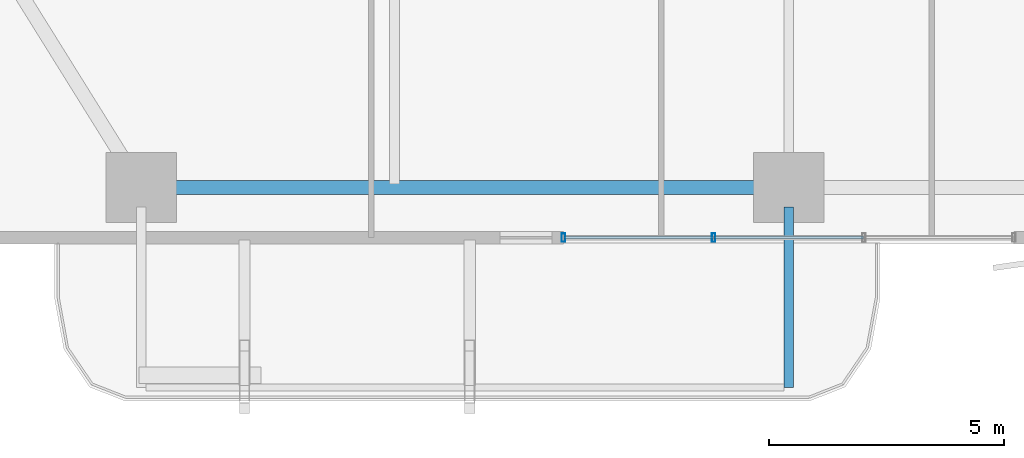
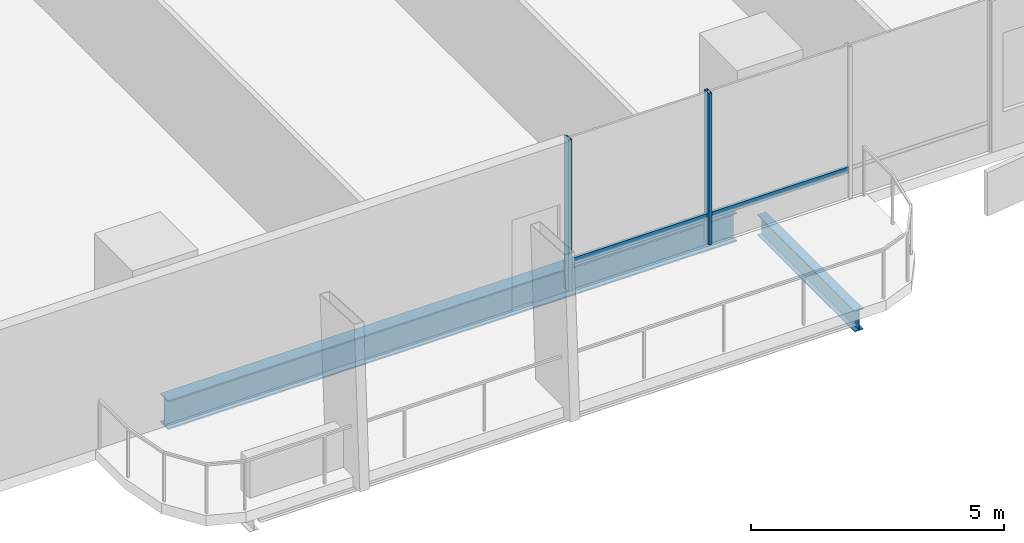
# One storey, part 2 of 23: 4 members, 2 beams, 1 element without a shape of its own.
"""IFC4 building model written with IfcOpenShell, lengths in metres."""

import ifcopenshell
import ifcopenshell.guid

model = None  # the IFC model being written
_history = None  # IfcOwnerHistory: only IFC2X3 demands one
_inside = {}  # id of a spatial element -> (the spatial element, [elements in it])
_under = {}  # id of a project, library or spatial element -> (it, [spatial elements below it])
_declared = {}  # id of a project -> (the project, [libraries it declares])
_typed = {}  # id of a type object -> (the type object, [elements of that type])
_made_of = {}  # id of a material, layer set ... -> (it, [elements and type objects made of it])


def new_model(schema):
    """Start an empty IFC model of exactly this schema.

    Asked for "IFC4X3", IfcOpenShell would pick the latest addendum, in which some entities
    have other attributes; the version numbers below select the first issue.
    IFC2X3 requires an IfcOwnerHistory on every rooted entity: one is made here for all.
    """
    global model, _history
    if schema == "IFC4X3":
        model = ifcopenshell.file(schema_version=(4, 3, 0, 0))
    else:
        model = ifcopenshell.file(schema=schema)
    _inside.clear()
    _under.clear()
    _declared.clear()
    _typed.clear()
    _made_of.clear()
    _history = None
    if model.schema == "IFC2X3":
        org = make("IfcOrganization", Name="unknown")
        user = make(
            "IfcPersonAndOrganization",
            ThePerson=make("IfcPerson", FamilyName="unknown"),
            TheOrganization=org,
        )
        app = make(
            "IfcApplication",
            ApplicationDeveloper=org,
            Version="unknown",
            ApplicationFullName="unknown",
            ApplicationIdentifier="unknown",
        )
        _history = make(
            "IfcOwnerHistory",
            OwningUser=user,
            OwningApplication=app,
            ChangeAction="ADDED",
            CreationDate=0,
        )
    return model


def make(cls, **values):
    """One entity of the class cls with the attributes given. An attribute that is None is left unset."""
    return model.create_entity(
        cls, **{name: value for name, value in values.items() if value is not None}
    )


def rooted(cls, **values):
    """An entity with a GlobalId (a new one), such as an element, a storey or a relation."""
    return make(cls, GlobalId=ifcopenshell.guid.new(), OwnerHistory=_history, **values)


def si_unit(unit_type, name, prefix=None):
    """IfcSIUnit, for example si_unit("LENGTHUNIT", "METRE", prefix="MILLI")."""
    return make("IfcSIUnit", UnitType=unit_type, Prefix=prefix, Name=name)


def assignment(units):
    """IfcUnitAssignment: the units of a project."""
    return None if units is None else make("IfcUnitAssignment", Units=units)


def point(xyz):
    """IfcCartesianPoint."""
    return None if xyz is None else make("IfcCartesianPoint", Coordinates=xyz)


def direction(xyz):
    """IfcDirection."""
    return None if xyz is None else make("IfcDirection", DirectionRatios=xyz)


def frame(location, z_axis=None, x_axis=None):
    """IfcAxis2Placement3D, a coordinate frame: its origin and axes. An axis left out is left unset."""
    return make(
        "IfcAxis2Placement3D",
        Location=point(location),
        Axis=direction(z_axis),
        RefDirection=direction(x_axis),
    )


def frame_2d(location, x_axis=None):
    """IfcAxis2Placement2D, a coordinate frame in the plane: its origin and x axis."""
    return make(
        "IfcAxis2Placement2D", Location=point(location), RefDirection=direction(x_axis)
    )


def origin():
    """The frame at (0, 0, 0) with its axes left unset."""
    return frame((0.0, 0.0, 0.0))


def origin_2d():
    """The frame at (0, 0) in the plane with its x axis left unset."""
    return frame_2d((0.0, 0.0))


def place(relative_to, where):
    """IfcLocalPlacement: puts the frame where relative to a parent placement (None: the world)."""
    return make(
        "IfcLocalPlacement", PlacementRelTo=relative_to, RelativePlacement=where
    )


def context(
    kind, dimensions, precision=None, world=None, true_north=None, identifier=None
):
    """IfcGeometricRepresentationContext, for example the 3D "Model" context."""
    return make(
        "IfcGeometricRepresentationContext",
        ContextIdentifier=identifier,
        ContextType=kind,
        CoordinateSpaceDimension=dimensions,
        Precision=precision,
        WorldCoordinateSystem=world,
        TrueNorth=true_north,
    )


def subcontext(parent, identifier, kind, view, scale=None):
    """IfcGeometricRepresentationSubContext, for example "Body" below "Model"."""
    return make(
        "IfcGeometricRepresentationSubContext",
        ContextIdentifier=identifier,
        ContextType=kind,
        ParentContext=parent,
        TargetScale=scale,
        TargetView=view,
    )


def project(units=None, contexts=None):
    """IfcProject with its units and contexts."""
    return rooted(
        "IfcProject",
        Name="project",
        RepresentationContexts=contexts,
        UnitsInContext=assignment(units),
    )


def spatial(cls, under=None, at=None, **own):
    """A site, building, storey or space (cls), placed at a placement, below another one or the project."""
    s = rooted(cls, ObjectPlacement=at, **own)
    if under is not None:
        _under.setdefault(under.id(), (under, []))[1].append(s)
    return s


def profile(cls, at=None, kind="AREA", **sizes):
    """A parametric profile (cls). Its sizes go by their IFC names, for example OverallWidth=200.0."""
    return make(cls, ProfileType=kind, Position=at, **sizes)


def hollow_rectangle(**sizes):
    """IfcRectangleHollowProfileDef."""
    return profile("IfcRectangleHollowProfileDef", **sizes)


def i_section(**sizes):
    """IfcIShapeProfileDef."""
    return profile("IfcIShapeProfileDef", **sizes)


def extrude(swept, where, along, depth):
    """IfcExtrudedAreaSolid: the profile swept, set in the frame where, extruded along a direction by depth."""
    return make(
        "IfcExtrudedAreaSolid",
        SweptArea=swept,
        Position=where,
        ExtrudedDirection=direction(along),
        Depth=depth,
    )


def shape(context_of_items, identifier, shape_type, items):
    """IfcShapeRepresentation: the items that make up one representation, for example the "Body"."""
    return make(
        "IfcShapeRepresentation",
        ContextOfItems=context_of_items,
        RepresentationIdentifier=identifier,
        RepresentationType=shape_type,
        Items=items,
    )


def material(Name=None, Category=None):
    """IfcMaterial."""
    return make("IfcMaterial", Name=Name, Category=Category)


def layer(
    of_material, thickness, ventilated=None, Name=None, Category=None, Priority=None
):
    """IfcMaterialLayer: one layer of a wall or slab, of a material (None: an air gap)."""
    return make(
        "IfcMaterialLayer",
        Material=of_material,
        LayerThickness=thickness,
        IsVentilated=ventilated,
        Name=Name,
        Category=Category,
        Priority=Priority,
    )


def layer_set(layers, Name=None):
    """IfcMaterialLayerSet."""
    return make("IfcMaterialLayerSet", MaterialLayers=layers, LayerSetName=Name)


def material_profile(
    of_material, cross_section, Name=None, Category=None, Priority=None
):
    """IfcMaterialProfile: a cross section and its material."""
    return make(
        "IfcMaterialProfile",
        Name=Name,
        Material=of_material,
        Profile=cross_section,
        Priority=Priority,
        Category=Category,
    )


def profile_set(profiles, Name=None, composite=None):
    """IfcMaterialProfileSet."""
    return make(
        "IfcMaterialProfileSet",
        Name=Name,
        MaterialProfiles=profiles,
        CompositeProfile=composite,
    )


def made_of(thing, what):
    """Note that an element or type object is made of a material, layer set ...; save() writes the relation."""
    if what is not None:
        _made_of.setdefault(what.id(), (what, []))[1].append(thing)
    return thing


def type_object(cls, material=None, **own):
    """A type object (cls), such as IfcWallType, which elements share."""
    return made_of(rooted(cls, **own), material)


def element(
    cls,
    number,
    at=None,
    inside=None,
    cuts=None,
    type_object=None,
    material=None,
    context=None,
    identifier="Body",
    shape_type=None,
    held_by="IfcProductDefinitionShape",
    body=None,
    shapes=None,
    **own,
):
    """One element of the class cls, such as IfcWall. Its Tag is "e" and its number.

    at: its placement. inside: the storey or other place that contains it. cuts: it is an
    opening in that element (IfcRelVoidsElement). A single representation is given by context,
    identifier, shape_type and body (its items); several are given by shapes. held_by: the class
    of the entity that holds the representations. save() writes the other relations.
    """
    e = rooted(cls, Tag="e%d" % number, ObjectPlacement=at, **own)
    if body is not None:
        shapes = [shape(context, identifier, shape_type, body)]
    if shapes is not None:
        e.Representation = make(held_by, Representations=shapes)
    if inside is not None:
        _inside.setdefault(inside.id(), (inside, []))[1].append(e)
    if cuts is not None:
        rooted(
            "IfcRelVoidsElement", RelatingBuildingElement=cuts, RelatedOpeningElement=e
        )
    if type_object is not None:
        _typed.setdefault(type_object.id(), (type_object, []))[1].append(e)
    return made_of(e, material)


def aggregate(whole, parts):
    """IfcRelAggregates: a whole, such as a stair, and the parts it consists of."""
    return rooted("IfcRelAggregates", RelatingObject=whole, RelatedObjects=parts)


def save(model, path):
    """Write the relations noted so far, then the file.

    IfcRelAggregates (storeys below a building ...), IfcRelContainedInSpatialStructure (elements
    in a storey), IfcRelDefinesByType, IfcRelAssociatesMaterial and IfcRelDeclares: one each for
    every whole, place, type object, material and project.
    """
    for whole, parts in _under.values():
        aggregate(whole, parts)
    for where, things in _inside.values():
        rooted(
            "IfcRelContainedInSpatialStructure",
            RelatedElements=things,
            RelatingStructure=where,
        )
    for kind, things in _typed.values():
        rooted("IfcRelDefinesByType", RelatedObjects=things, RelatingType=kind)
    for what, things in _made_of.values():
        rooted("IfcRelAssociatesMaterial", RelatedObjects=things, RelatingMaterial=what)
    for by, libraries in _declared.values():
        rooted("IfcRelDeclares", RelatingContext=by, RelatedDefinitions=libraries)
    model.write(path)


model = new_model("IFC4")

# Units and contexts
model_context = context("Model", 3, precision=1e-05, world=origin(), true_north=direction((0.0, 1.0)))
body_context = subcontext(model_context, "Body", "Model", "MODEL_VIEW")
ifc_project = project(units=[si_unit("LENGTHUNIT", "METRE"), si_unit("AREAUNIT", "SQUARE_METRE"), si_unit("VOLUMEUNIT", "CUBIC_METRE"), si_unit("PLANEANGLEUNIT", "RADIAN"), si_unit("MASSUNIT", "GRAM", prefix="KILO")], contexts=[model_context])

# Site, building, storey
site_placement = place(None, origin())
site = spatial("IfcSite", under=ifc_project, at=site_placement, CompositionType="ELEMENT")
building_placement = place(site_placement, origin())
building = spatial("IfcBuilding", under=site, at=building_placement, Name="Belovzor Exchange Tower", CompositionType="ELEMENT")
storey_placement = place(building_placement, frame((0.0, 0.0, 41.699951171875)))
storey = spatial("IfcBuildingStorey", under=building, at=storey_placement, Name="L09", CompositionType="ELEMENT", Elevation=41.699951171875)

# Beam
ifc_material_1 = material(Name="Steel S355", Category="steel")
ifc_material_profile_1 = material_profile(ifc_material_1, i_section(OverallWidth=0.199951171875, OverallDepth=0.5, WebThickness=0.01025390625, FlangeThickness=0.01611328125, at=origin_2d()))
ifc_profile_set_1 = profile_set([ifc_material_profile_1], Name="Steel S355")
beam_type_1 = type_object("IfcBeamType", Name="Planted Balcony Cantilever Beam IPE 500", PredefinedType="BEAM", material=ifc_profile_set_1)
beam_1_placement = place(storey_placement, frame((28.800048828125, 1.68798828125, -0.5), z_axis=(0.0, -1.0, 0.0), x_axis=(1.0, 0.0, 0.0)))
element("IfcBeam", 1, at=beam_1_placement, inside=storey, type_object=beam_type_1, Name="BC-500 Planted Balcony Cantilever Beam IPE 500", PredefinedType="BEAM", context=body_context, shape_type="SweptSolid", body=[
    extrude(i_section(OverallWidth=0.199951171875, OverallDepth=0.5, WebThickness=0.01025390625, FlangeThickness=0.01611328125, at=origin_2d()), origin(), (0.0, 0.0, 1.0), 3.85009765625),
])

# Curtain wall, members
ifc_material_2 = material(Name="Anodised Aluminium Framing", Category="aluminium")
ifc_layer = layer(ifc_material_2, 0.179931640625)
ifc_layer_set = layer_set([ifc_layer], Name="Anodised Aluminium Framing")
curtain_wall_type = type_object("IfcCurtainWallType", Name="Recessed Loggia Low-Iron Triple-Glazed Curtain Wall", PredefinedType="NOTDEFINED", material=ifc_layer_set)
curtain_wall_placement = place(storey_placement, origin())
curtain_wall = element("IfcCurtainWall", 2, at=curtain_wall_placement, inside=storey, type_object=curtain_wall_type, Name="CW3 Recessed Loggia Low-Iron Triple-Glazed Curtain Wall L09", PredefinedType="NOTDEFINED")
ifc_material_3 = material(Name="Steel S355", Category="steel")
ifc_material_profile_2 = material_profile(ifc_material_3, hollow_rectangle(XDim=0.074951171875, YDim=0.179931640625, WallThickness=0.0048828125, at=origin_2d()))
ifc_profile_set_2 = profile_set([ifc_material_profile_2], Name="Steel S355")
member_type_1 = type_object("IfcMemberType", Name="Thermally Broken Curtain Wall Mullion 180x75", PredefinedType="MULLION", material=ifc_profile_set_2)
member_1_placement = place(storey_placement, frame((27.199951171875, 1.030029296875, 0.0), z_axis=(0.0, 0.0, 1.0), x_axis=(-1.0, 0.0, 0.0)))
member_1 = element("IfcMember", 3, at=member_1_placement, type_object=member_type_1, Name="CW-M180 Curtain Wall Mullion 3", PredefinedType="MULLION", context=body_context, shape_type="SweptSolid", body=[
    extrude(hollow_rectangle(XDim=0.074951171875, YDim=0.179931640625, WallThickness=0.0048828125, at=origin_2d()), origin(), (0.0, 0.0, 1.0), 3.650146484375),
])
member_2_placement = place(storey_placement, frame((24.0, 1.030029296875, 0.0), z_axis=(0.0, 0.0, 1.0), x_axis=(-1.0, 0.0, 0.0)))
member_2 = element("IfcMember", 4, at=member_2_placement, type_object=member_type_1, Name="CW-M180 Curtain Wall Mullion 4", PredefinedType="MULLION", context=body_context, shape_type="SweptSolid", body=[
    extrude(hollow_rectangle(XDim=0.074951171875, YDim=0.179931640625, WallThickness=0.0048828125, at=origin_2d()), origin(), (0.0, 0.0, 1.0), 3.650146484375),
])
ifc_material_4 = material(Name="Steel S355", Category="steel")
ifc_material_profile_3 = material_profile(ifc_material_4, hollow_rectangle(XDim=0.06005859375, YDim=0.14990234375, WallThickness=0.00390625, at=origin_2d()))
ifc_profile_set_3 = profile_set([ifc_material_profile_3], Name="Steel S355")
member_type_2 = type_object("IfcMemberType", Name="Thermally Broken Curtain Wall Transom 150x60", PredefinedType="USERDEFINED", material=ifc_profile_set_3)
member_3_placement = place(storey_placement, frame((30.39208984375, 1.030029296875, 0.650146484375), z_axis=(-1.0, 0.0, 0.0), x_axis=(0.0, -1.0, 0.0)))
member_3 = element("IfcMember", 5, at=member_3_placement, type_object=member_type_2, Name="CW-T150 Curtain Wall Transom 2", ObjectType="TRANSOM", PredefinedType="USERDEFINED", context=body_context, shape_type="SweptSolid", body=[
    extrude(hollow_rectangle(XDim=0.06005859375, YDim=0.14990234375, WallThickness=0.00390625, at=origin_2d()), origin(), (0.0, 0.0, 1.0), 3.18408203125),
])
member_4_placement = place(storey_placement, frame((27.19189453125, 1.030029296875, 0.650146484375), z_axis=(-1.0, 0.0, 0.0), x_axis=(0.0, -1.0, 0.0)))
member_4 = element("IfcMember", 6, at=member_4_placement, type_object=member_type_2, Name="CW-T150 Curtain Wall Transom 3", ObjectType="TRANSOM", PredefinedType="USERDEFINED", context=body_context, shape_type="SweptSolid", body=[
    extrude(hollow_rectangle(XDim=0.06005859375, YDim=0.14990234375, WallThickness=0.00390625, at=origin_2d()), origin(), (0.0, 0.0, 1.0), 3.183837890625),
])
aggregate(curtain_wall, [member_1, member_2, member_3, member_4])

# Beam
ifc_material_5 = material(Name="Steel S355", Category="steel")
ifc_material_profile_4 = material_profile(ifc_material_5, i_section(OverallWidth=0.300048828125, OverallDepth=0.699951171875, WebThickness=0.01708984375, FlangeThickness=0.031982421875, at=origin_2d()))
ifc_profile_set_4 = profile_set([ifc_material_profile_4], Name="Steel S355")
beam_type_2 = type_object("IfcBeamType", Name="Zone 1 Primary Perimeter Girder HEB 700", PredefinedType="BEAM", material=ifc_profile_set_4)
beam_2_placement = place(storey_placement, frame((15.412109375, 2.10009765625, -0.599853515625), z_axis=(1.0, 0.0, 0.0), x_axis=(0.0, 1.0, 0.0)))
element("IfcBeam", 7, at=beam_2_placement, inside=storey, type_object=beam_type_2, Name="FG-Z1 Zone 1 Primary Perimeter Girder HEB 700", PredefinedType="BEAM", context=body_context, shape_type="SweptSolid", body=[
    extrude(i_section(OverallWidth=0.300048828125, OverallDepth=0.699951171875, WebThickness=0.01708984375, FlangeThickness=0.031982421875, at=origin_2d()), origin(), (0.0, 0.0, 1.0), 12.974853515625),
])

save(model, "model.ifc")
